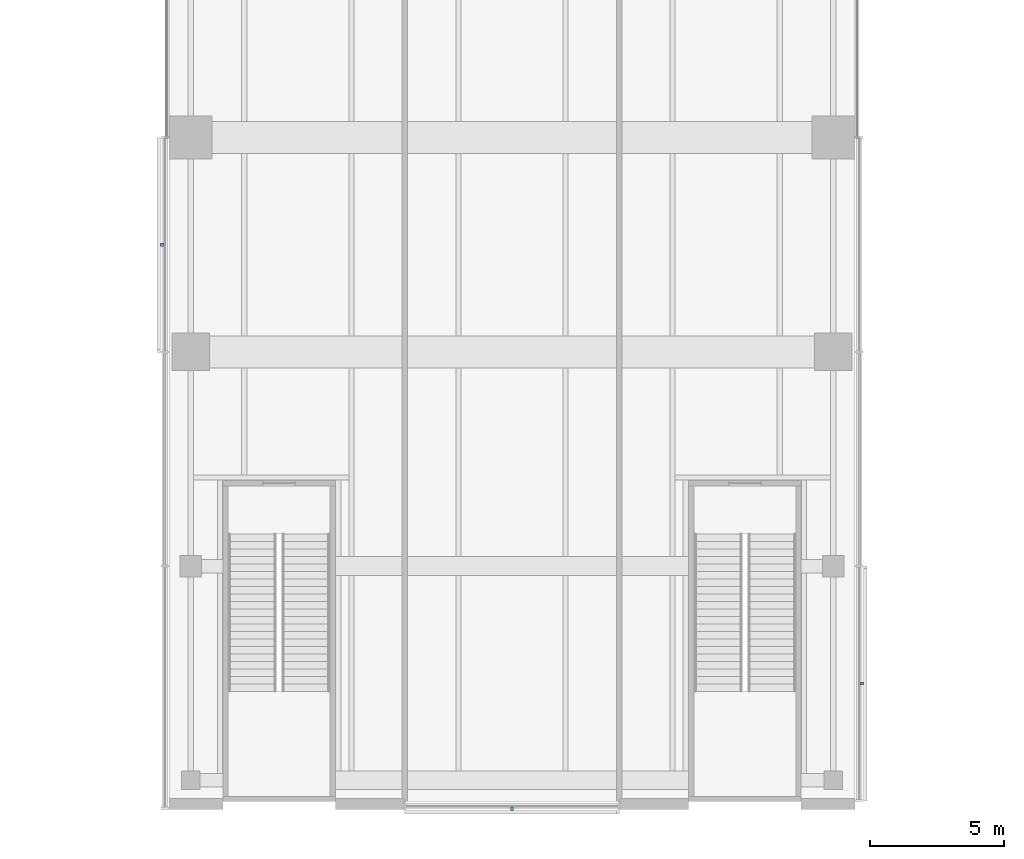
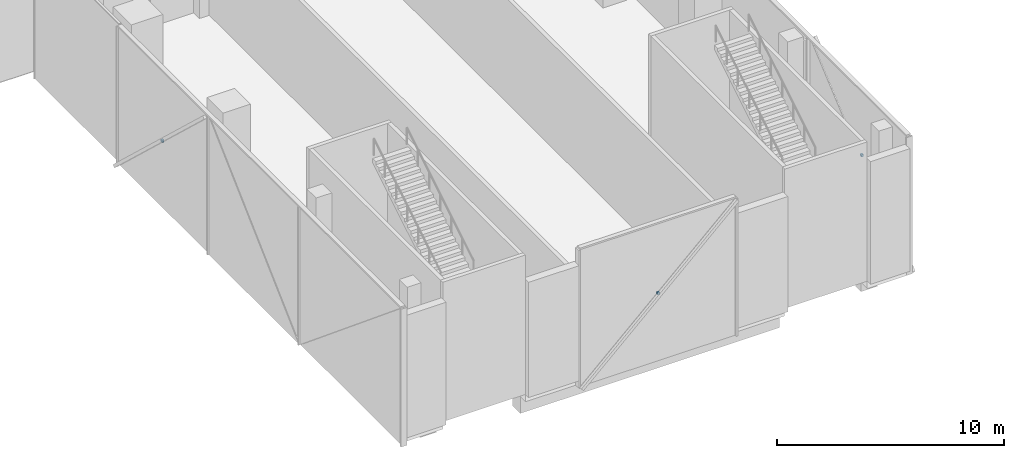
# One storey, part 20 of 25: 3 discrete accessories.
"""IFC4 building model written with IfcOpenShell, lengths in metres."""

from ifc_helpers import new_model, si_unit, direction, frame, origin, origin_2d, place, context, subcontext, project, spatial, rectangle, extrude, material, type_object, element, save


model = new_model("IFC4")

# Units and contexts
model_context = context("Model", 3, precision=1e-05, world=origin(), true_north=direction((0.0, 1.0)))
body_context = subcontext(model_context, "Body", "Model", "MODEL_VIEW")
ifc_project = project(units=[si_unit("LENGTHUNIT", "METRE"), si_unit("AREAUNIT", "SQUARE_METRE"), si_unit("VOLUMEUNIT", "CUBIC_METRE"), si_unit("PLANEANGLEUNIT", "RADIAN"), si_unit("MASSUNIT", "GRAM", prefix="KILO")], contexts=[model_context])

# Site, building, storey
site_placement = place(None, origin())
site = spatial("IfcSite", under=ifc_project, at=site_placement, CompositionType="ELEMENT")
building_placement = place(site_placement, origin())
building = spatial("IfcBuilding", under=site, at=building_placement, Name="Crosswind Convention Tower", CompositionType="ELEMENT")
storey_placement = place(building_placement, frame((0.0, 0.0, 17.5)))
storey = spatial("IfcBuildingStorey", under=building, at=storey_placement, Name="L02", CompositionType="ELEMENT", Elevation=17.5)

# Discrete accessories
ifc_material = material(Name="Stainless steel", Category="steel")
discrete_accessory_type = type_object("IfcDiscreteAccessoryType", Name="BAGUETTE BRACKET BK1", PredefinedType="BRACKET", material=ifc_material)
for number, where, z_axis, x_axis, name in (
    (1, (111.926025390625, 76.0, 3.25), (0.0, 0.0, 1.0), (0.0, -1.0, 0.0), "BK1 baguette bracket"),
    (2, (125.0, 54.926025390625, 3.25), (0.0, 0.0, 1.0), (1.0, 0.0, 0.0), "BK1 baguette bracket"),
    (3, (138.073974609375, 59.6201171875, 3.25), (0.0, 0.0, 1.0), (0.0, 1.0, 0.0), "BK1 baguette bracket"),
):
    element("IfcDiscreteAccessory", number, at=place(storey_placement, frame(where, z_axis=z_axis, x_axis=x_axis)), inside=storey, type_object=discrete_accessory_type, Name=name, PredefinedType="BRACKET", context=body_context, shape_type="SweptSolid", body=[
        extrude(rectangle(XDim=0.1201171875, YDim=0.10009765625, at=origin_2d()), origin(), (0.0, 0.0, 1.0), 0.1201171875),
    ])

save(model, "model.ifc")
